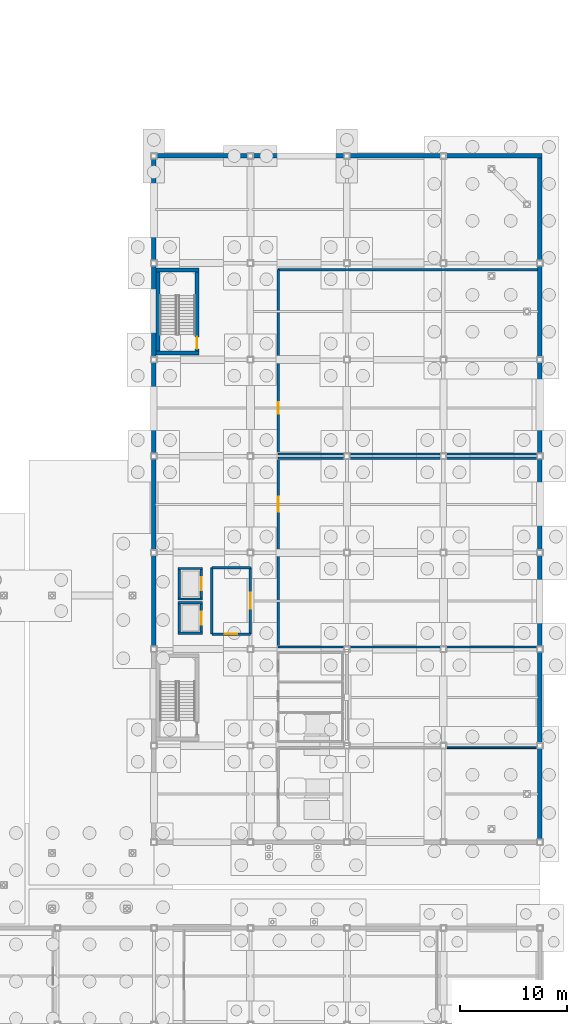
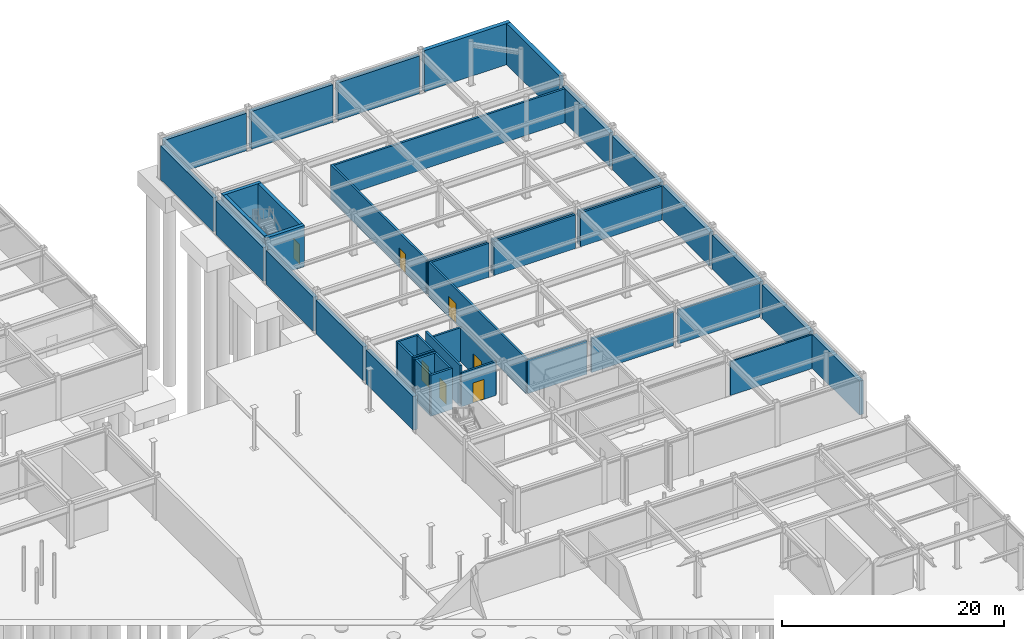
# One storey, part 57 of 74: 45 walls, 7 doors, 7 openings.
"""IFC4 building model written with IfcOpenShell, lengths in metres."""

from ifc_helpers import new_model, si_unit, direction, frame, frame_2d, origin, place, context, subcontext, project, spatial, rectangle, extrude, material, layer, layer_set, type_object, element, fill, save


model = new_model("IFC4")

# Units and contexts
model_context = context("Model", 3, precision=1e-05, world=origin(), true_north=direction((0.0, 1.0)))
body_context = subcontext(model_context, "Body", "Model", "MODEL_VIEW")
ifc_project = project(units=[si_unit("LENGTHUNIT", "METRE"), si_unit("AREAUNIT", "SQUARE_METRE"), si_unit("VOLUMEUNIT", "CUBIC_METRE"), si_unit("PLANEANGLEUNIT", "RADIAN"), si_unit("MASSUNIT", "GRAM", prefix="KILO")], contexts=[model_context])

# Site, building, storey
site_placement = place(None, origin())
site = spatial("IfcSite", under=ifc_project, at=site_placement, CompositionType="ELEMENT")
building_placement = place(site_placement, origin())
building = spatial("IfcBuilding", under=site, at=building_placement, Name="Suzunagisa Mobility Hub", CompositionType="ELEMENT")
storey_placement = place(building_placement, frame((0.0, 0.0, -4.800048828125)))
storey = spatial("IfcBuildingStorey", under=building, at=storey_placement, Name="B1", CompositionType="ELEMENT", Elevation=-4.800048828125)

# Walls
ifc_material_1 = material(Name="Concrete C35/45", Category="concrete")
ifc_layer_1 = layer(ifc_material_1, 0.419921875)
ifc_layer_set_1 = layer_set([ifc_layer_1], Name="Concrete C35/45")
wall_type_1 = type_object("IfcWallType", Name="Exterior Wall EW-02 420mm", PredefinedType="USERDEFINED", material=ifc_layer_set_1)
for number, where, z_axis, x_axis, name in (
    (1, (180.0, 44.25, 0.0), (0.0, 0.0, 1.0), (0.0, 1.0, 0.0), "B1 Perimeter Retaining Wall RW-329"),
    (2, (180.0, 53.25, 0.0), (0.0, 0.0, 1.0), (0.0, 1.0, 0.0), "B1 Perimeter Retaining Wall RW-330"),
    (3, (180.0, 62.25, 0.0), (0.0, 0.0, 1.0), (0.0, 1.0, 0.0), "B1 Perimeter Retaining Wall RW-331"),
    (4, (180.0, 71.25, 0.0), (0.0, 0.0, 1.0), (0.0, 1.0, 0.0), "B1 Perimeter Retaining Wall RW-332"),
    (5, (180.0, 80.25, 0.0), (0.0, 0.0, 1.0), (0.0, 1.0, 0.0), "B1 Perimeter Retaining Wall RW-333"),
    (6, (180.0, 89.25, 0.0), (0.0, 0.0, 1.0), (0.0, 1.0, 0.0), "B1 Perimeter Retaining Wall RW-334"),
):
    element("IfcWall", number, at=place(storey_placement, frame(where, z_axis=z_axis, x_axis=x_axis)), inside=storey, type_object=wall_type_1, Name=name, ObjectType="RETAINING WALL", PredefinedType="USERDEFINED", context=body_context, shape_type="SweptSolid", body=[
        extrude(rectangle(XDim=8.5, YDim=0.419921875, at=frame_2d((4.25, 0.0))), origin(), (0.0, 0.0, 1.0), 3.719970703125),
    ])
wall_1_placement = place(storey_placement, frame((180.0, 98.25, 0.0), z_axis=(0.0, 0.0, 1.0), x_axis=(0.0, 1.0, 0.0)))
element("IfcWall", 7, at=wall_1_placement, inside=storey, type_object=wall_type_1, Name="B1 Perimeter Retaining Wall RW-335", ObjectType="RETAINING WALL", PredefinedType="USERDEFINED", context=body_context, shape_type="SweptSolid", body=[
    extrude(rectangle(XDim=9.56005859375, YDim=0.419921875, at=frame_2d((4.780029296875, 0.0))), origin(), (0.0, 0.0, 1.0), 4.52001953125),
])
wall_2_placement = place(storey_placement, frame((180.18994140625, 108.0, 0.0), z_axis=(0.0, 0.0, 1.0), x_axis=(-1.0, 0.0, 0.0)))
element("IfcWall", 8, at=wall_2_placement, inside=storey, type_object=wall_type_1, Name="B1 Perimeter Retaining Wall RW-336", ObjectType="RETAINING WALL", PredefinedType="USERDEFINED", context=body_context, shape_type="SweptSolid", body=[
    extrude(rectangle(XDim=8.93994140625, YDim=0.419921875, at=frame_2d((4.469970703125, 0.0))), origin(), (0.0, 0.0, 1.0), 4.52001953125),
])
for number, where, z_axis, x_axis, name in (
    (9, (170.75, 108.0, 0.0), (0.0, 0.0, 1.0), (-1.0, 0.0, 0.0), "B1 Perimeter Retaining Wall RW-337"),
    (10, (161.75, 108.0, 0.0), (0.0, 0.0, 1.0), (-1.0, 0.0, 0.0), "B1 Perimeter Retaining Wall RW-338"),
    (11, (152.75, 108.0, 0.0), (0.0, 0.0, 1.0), (-1.0, 0.0, 0.0), "B1 Perimeter Retaining Wall RW-339"),
):
    element("IfcWall", number, at=place(storey_placement, frame(where, z_axis=z_axis, x_axis=x_axis)), inside=storey, type_object=wall_type_1, Name=name, ObjectType="RETAINING WALL", PredefinedType="USERDEFINED", context=body_context, shape_type="SweptSolid", body=[
        extrude(rectangle(XDim=8.5, YDim=0.419921875, at=frame_2d((4.25, 0.0))), origin(), (0.0, 0.0, 1.0), 4.130126953125),
    ])
wall_3_placement = place(storey_placement, frame((144.0, 107.75, 0.0), z_axis=(0.0, 0.0, 1.0), x_axis=(0.0, -1.0, 0.0)))
element("IfcWall", 12, at=wall_3_placement, inside=storey, type_object=wall_type_1, Name="B1 Perimeter Retaining Wall RW-340", ObjectType="RETAINING WALL", PredefinedType="USERDEFINED", context=body_context, shape_type="SweptSolid", body=[
    extrude(rectangle(XDim=9.5, YDim=0.419921875, at=frame_2d((4.75, 0.0))), origin(), (0.0, 0.0, 1.0), 3.719970703125),
])
for number, where, z_axis, x_axis, name in (
    (13, (144.0, 97.75, 0.0), (0.0, 0.0, 1.0), (0.0, -1.0, 0.0), "B1 Perimeter Retaining Wall RW-341"),
    (14, (144.0, 88.75, 0.0), (0.0, 0.0, 1.0), (0.0, -1.0, 0.0), "B1 Perimeter Retaining Wall RW-342"),
    (15, (144.0, 79.75, 0.0), (0.0, 0.0, 1.0), (0.0, -1.0, 0.0), "B1 Perimeter Retaining Wall RW-343"),
    (16, (144.0, 70.75, 0.0), (0.0, 0.0, 1.0), (0.0, -1.0, 0.0), "B1 Perimeter Retaining Wall RW-344"),
):
    element("IfcWall", number, at=place(storey_placement, frame(where, z_axis=z_axis, x_axis=x_axis)), inside=storey, type_object=wall_type_1, Name=name, ObjectType="RETAINING WALL", PredefinedType="USERDEFINED", context=body_context, shape_type="SweptSolid", body=[
        extrude(rectangle(XDim=8.5, YDim=0.419921875, at=frame_2d((4.25, 0.0))), origin(), (0.0, 0.0, 1.0), 3.719970703125),
    ])

# Wall, opening, door
ifc_material_2 = material(Name="Fire-Rated Gypsum Stud Partition", Category="gypsum")
ifc_layer_2 = layer(ifc_material_2, 0.2099609375)
ifc_layer_set_2 = layer_set([ifc_layer_2], Name="Fire-Rated Gypsum Stud Partition")
wall_type_2 = type_object("IfcWallType", Name="Interior Wall IW-03 210mm", PredefinedType="PARTITIONING", material=ifc_layer_set_2)
wall_4_placement = place(storey_placement, frame((148.425048828125, 63.580078125, 0.0), z_axis=(0.0, 0.0, 1.0), x_axis=(0.0, 1.0, 0.0)))
wall_4 = element("IfcWall", 17, at=wall_4_placement, inside=storey, type_object=wall_type_2, Name="B1 Lift LF-05 Shaft Front Wall", PredefinedType="PARTITIONING", context=body_context, shape_type="SweptSolid", body=[
    extrude(rectangle(XDim=2.639892578125, YDim=0.2099609375, at=frame_2d((1.31982421875, 0.0))), origin(), (0.0, 0.0, 1.0), 4.52001953125),
])
opening_1_placement = place(wall_4_placement, frame((0.719970703125, 0.0, 0.0)))
opening_1 = element("IfcOpeningElement", 18, at=opening_1_placement, cuts=wall_4, Name="Opening LD-03", PredefinedType="OPENING", context=body_context, shape_type="SweptSolid", body=[
    extrude(rectangle(XDim=1.199951171875, YDim=2.199951171875, at=frame_2d((0.60009765625, 1.10009765625))), frame((0.0, 0.115966796875, 0.0), z_axis=(0.0, -1.0, 0.0), x_axis=(1.0, 0.0, 0.0)), (0.0, 0.0, 1.0), 0.23193359375),
])
ifc_material_3 = material(Name="Brushed Stainless Steel SUS304", Category="metal")
door_type_1 = type_object("IfcDoorType", Name="Lift Landing Sliding Door LD-03 1200x2200", OperationType="SLIDING_TO_LEFT", PredefinedType="DOOR", material=ifc_material_3)
door_1_placement = place(opening_1_placement, origin())
door_1 = element("IfcDoor", 19, at=door_1_placement, inside=storey, type_object=door_type_1, Name="B1 Lift LF-05 Sliding Landing Door", OperationType="SLIDING_TO_RIGHT", OverallHeight=2.199951171875, OverallWidth=1.199951171875, PredefinedType="DOOR", context=body_context, shape_type="SweptSolid", body=[
    extrude(rectangle(XDim=1.199951171875, YDim=2.199951171875, at=frame_2d((0.60009765625, 1.10009765625))), frame((0.0, 0.02490234375, 0.0), z_axis=(0.0, -1.0, 0.0), x_axis=(1.0, 0.0, 0.0)), (0.0, 0.0, 1.0), 0.050048828125),
])
fill(opening_1, door_1)

# Walls
wall_5_placement = place(storey_placement, frame((146.375, 63.580078125, 0.0), z_axis=(0.0, 0.0, 1.0), x_axis=(0.0, 1.0, 0.0)))
element("IfcWall", 20, at=wall_5_placement, inside=storey, type_object=wall_type_2, Name="B1 Lift LF-05 Shaft Back Wall", PredefinedType="PARTITIONING", context=body_context, shape_type="SweptSolid", body=[
    extrude(rectangle(XDim=2.639892578125, YDim=0.2099609375, at=frame_2d((1.31982421875, 0.0))), origin(), (0.0, 0.0, 1.0), 4.52001953125),
])
for number, where, z_axis, x_axis, name in (
    (21, (146.27001953125, 63.47509765625, 0.0), (0.0, 0.0, 1.0), (1.0, 0.0, 0.0), "B1 Lift LF-05 Shaft South Wall"),
    (22, (146.27001953125, 66.324951171875, 0.0), (0.0, 0.0, 1.0), (1.0, 0.0, 0.0), "B1 Lift LF-05 Shaft North Wall"),
):
    element("IfcWall", number, at=place(storey_placement, frame(where, z_axis=z_axis, x_axis=x_axis)), inside=storey, type_object=wall_type_2, Name=name, PredefinedType="PARTITIONING", context=body_context, shape_type="SweptSolid", body=[
        extrude(rectangle(XDim=2.260009765625, YDim=0.2099609375, at=frame_2d((1.1298828125, 0.0))), origin(), (0.0, 0.0, 1.0), 4.52001953125),
    ])

# Wall, opening, door
wall_6_placement = place(storey_placement, frame((148.425048828125, 66.780029296875, 0.0), z_axis=(0.0, 0.0, 1.0), x_axis=(0.0, 1.0, 0.0)))
wall_6 = element("IfcWall", 23, at=wall_6_placement, inside=storey, type_object=wall_type_2, Name="B1 Lift LF-06 Shaft Front Wall", PredefinedType="PARTITIONING", context=body_context, shape_type="SweptSolid", body=[
    extrude(rectangle(XDim=2.639892578125, YDim=0.2099609375, at=frame_2d((1.31982421875, 0.0))), origin(), (0.0, 0.0, 1.0), 4.52001953125),
])
opening_2_placement = place(wall_6_placement, frame((0.719970703125, 0.0, 0.0)))
opening_2 = element("IfcOpeningElement", 24, at=opening_2_placement, cuts=wall_6, Name="Opening LD-03", PredefinedType="OPENING", context=body_context, shape_type="SweptSolid", body=[
    extrude(rectangle(XDim=1.199951171875, YDim=2.199951171875, at=frame_2d((0.60009765625, 1.10009765625))), frame((0.0, 0.115966796875, 0.0), z_axis=(0.0, -1.0, 0.0), x_axis=(1.0, 0.0, 0.0)), (0.0, 0.0, 1.0), 0.23193359375),
])
door_2_placement = place(opening_2_placement, origin())
door_2 = element("IfcDoor", 25, at=door_2_placement, inside=storey, type_object=door_type_1, Name="B1 Lift LF-06 Sliding Landing Door", OperationType="SLIDING_TO_LEFT", OverallHeight=2.199951171875, OverallWidth=1.199951171875, PredefinedType="DOOR", context=body_context, shape_type="SweptSolid", body=[
    extrude(rectangle(XDim=1.199951171875, YDim=2.199951171875, at=frame_2d((0.60009765625, 1.10009765625))), frame((0.0, 0.02490234375, 0.0), z_axis=(0.0, -1.0, 0.0), x_axis=(1.0, 0.0, 0.0)), (0.0, 0.0, 1.0), 0.050048828125),
])
fill(opening_2, door_2)

# Walls
wall_7_placement = place(storey_placement, frame((146.375, 66.780029296875, 0.0), z_axis=(0.0, 0.0, 1.0), x_axis=(0.0, 1.0, 0.0)))
element("IfcWall", 26, at=wall_7_placement, inside=storey, type_object=wall_type_2, Name="B1 Lift LF-06 Shaft Back Wall", PredefinedType="PARTITIONING", context=body_context, shape_type="SweptSolid", body=[
    extrude(rectangle(XDim=2.639892578125, YDim=0.2099609375, at=frame_2d((1.31982421875, 0.0))), origin(), (0.0, 0.0, 1.0), 4.52001953125),
])
for number, where, z_axis, x_axis, name in (
    (27, (146.27001953125, 66.675048828125, 0.0), (0.0, 0.0, 1.0), (1.0, 0.0, 0.0), "B1 Lift LF-06 Shaft South Wall"),
    (28, (146.27001953125, 69.52490234375, 0.0), (0.0, 0.0, 1.0), (1.0, 0.0, 0.0), "B1 Lift LF-06 Shaft North Wall"),
):
    element("IfcWall", number, at=place(storey_placement, frame(where, z_axis=z_axis, x_axis=x_axis)), inside=storey, type_object=wall_type_2, Name=name, PredefinedType="PARTITIONING", context=body_context, shape_type="SweptSolid", body=[
        extrude(rectangle(XDim=2.260009765625, YDim=0.2099609375, at=frame_2d((1.1298828125, 0.0))), origin(), (0.0, 0.0, 1.0), 4.52001953125),
    ])

# Wall, opening, door
wall_8_placement = place(storey_placement, frame((149.39990234375, 63.39990234375, 0.0), z_axis=(0.0, 0.0, 1.0), x_axis=(1.0, 0.0, 0.0)))
wall_8 = element("IfcWall", 29, at=wall_8_placement, inside=storey, type_object=wall_type_2, Name="B1 Firefighting Lift Lobby B1 Partition PW-533", PredefinedType="PARTITIONING", context=body_context, shape_type="SweptSolid", body=[
    extrude(rectangle(XDim=3.60009765625, YDim=0.2099609375, at=frame_2d((1.800048828125, 0.0))), origin(), (0.0, 0.0, 1.0), 3.719970703125),
])
opening_3_placement = place(wall_8_placement, frame((1.22509765625, 0.0, 0.0)))
opening_3 = element("IfcOpeningElement", 30, at=opening_3_placement, cuts=wall_8, Name="Opening DR-20", PredefinedType="OPENING", context=body_context, shape_type="SweptSolid", body=[
    extrude(rectangle(XDim=1.14990234375, YDim=2.199951171875, at=frame_2d((0.574951171875, 1.10009765625))), frame((0.0, 0.115966796875, 0.0), z_axis=(0.0, -1.0, 0.0), x_axis=(1.0, 0.0, 0.0)), (0.0, 0.0, 1.0), 0.23193359375),
])
ifc_material_4 = material(Name="Fire-Rated Hollow Steel Stair Door", Category="steel")
door_type_2 = type_object("IfcDoorType", Name="Interior Door DR-20 1150x2200", OperationType="SINGLE_SWING_LEFT", PredefinedType="DOOR", material=ifc_material_4)
door_3_placement = place(opening_3_placement, origin())
door_3 = element("IfcDoor", 31, at=door_3_placement, inside=storey, type_object=door_type_2, Name="B1 Firefighting Lobby to Escape Stair Door SD-121", OperationType="SINGLE_SWING_RIGHT", OverallHeight=2.199951171875, OverallWidth=1.14990234375, PredefinedType="DOOR", context=body_context, shape_type="SweptSolid", body=[
    extrude(rectangle(XDim=1.14990234375, YDim=2.199951171875, at=frame_2d((0.574951171875, 1.10009765625))), frame((0.0, 0.02490234375, 0.0), z_axis=(0.0, -1.0, 0.0), x_axis=(1.0, 0.0, 0.0)), (0.0, 0.0, 1.0), 0.050048828125),
])
fill(opening_3, door_3)

# Walls
wall_9_placement = place(storey_placement, frame((149.39990234375, 69.60009765625, 0.0), z_axis=(0.0, 0.0, 1.0), x_axis=(1.0, 0.0, 0.0)))
element("IfcWall", 32, at=wall_9_placement, inside=storey, type_object=wall_type_2, Name="B1 Firefighting Lift Lobby B1 Partition PW-534", PredefinedType="PARTITIONING", context=body_context, shape_type="SweptSolid", body=[
    extrude(rectangle(XDim=3.60009765625, YDim=0.2099609375, at=frame_2d((1.800048828125, 0.0))), origin(), (0.0, 0.0, 1.0), 3.719970703125),
])
wall_10_placement = place(storey_placement, frame((149.39990234375, 63.39990234375, 0.0), z_axis=(0.0, 0.0, 1.0), x_axis=(0.0, 1.0, 0.0)))
element("IfcWall", 33, at=wall_10_placement, inside=storey, type_object=wall_type_2, Name="B1 Firefighting Lift Lobby B1 Partition PW-535", PredefinedType="PARTITIONING", context=body_context, shape_type="SweptSolid", body=[
    extrude(rectangle(XDim=6.2001953125, YDim=0.2099609375, at=frame_2d((3.10009765625, 0.0))), origin(), (0.0, 0.0, 1.0), 4.52001953125),
])

# Wall, opening, door
wall_11_placement = place(storey_placement, frame((153.0, 63.39990234375, 0.0), z_axis=(0.0, 0.0, 1.0), x_axis=(0.0, 1.0, 0.0)))
wall_11 = element("IfcWall", 34, at=wall_11_placement, inside=storey, type_object=wall_type_2, Name="B1 Firefighting Lift Lobby B1 Partition PW-536", PredefinedType="PARTITIONING", context=body_context, shape_type="SweptSolid", body=[
    extrude(rectangle(XDim=6.2001953125, YDim=0.2099609375, at=frame_2d((3.10009765625, 0.0))), origin(), (0.0, 0.0, 1.0), 3.719970703125),
])
opening_4_placement = place(wall_11_placement, frame((2.35009765625, 0.0, 0.0)))
opening_4 = element("IfcOpeningElement", 35, at=opening_4_placement, cuts=wall_11, Name="Opening DR-15", PredefinedType="OPENING", context=body_context, shape_type="SweptSolid", body=[
    extrude(rectangle(XDim=1.5, YDim=2.25, at=frame_2d((0.75, 1.125))), frame((0.0, 0.115966796875, 0.0), z_axis=(0.0, -1.0, 0.0), x_axis=(1.0, 0.0, 0.0)), (0.0, 0.0, 1.0), 0.23193359375),
])
ifc_material_5 = material(Name="Smoke-Control Double Fire Door")
door_type_3 = type_object("IfcDoorType", Name="Interior Door DR-15 1500x2250", OperationType="SINGLE_SWING_LEFT", PredefinedType="DOOR", material=ifc_material_5)
door_4_placement = place(opening_4_placement, origin())
door_4 = element("IfcDoor", 36, at=door_4_placement, inside=storey, type_object=door_type_3, Name="B1 Firefighting Lift Lobby B1 Door DR-122", OperationType="SINGLE_SWING_LEFT", OverallHeight=2.25, OverallWidth=1.5, PredefinedType="DOOR", context=body_context, shape_type="SweptSolid", body=[
    extrude(rectangle(XDim=1.5, YDim=2.25, at=frame_2d((0.75, 1.125))), frame((0.0, 0.02490234375, 0.0), z_axis=(0.0, -1.0, 0.0), x_axis=(1.0, 0.0, 0.0)), (0.0, 0.0, 1.0), 0.050048828125),
])
fill(opening_4, door_4)

# Walls
wall_12_placement = place(storey_placement, frame((155.60009765625, 62.199951171875, 0.0), z_axis=(0.0, 0.0, 1.0), x_axis=(1.0, 0.0, 0.0)))
element("IfcWall", 37, at=wall_12_placement, inside=storey, type_object=wall_type_2, Name="B1 Central HVAC Chiller and Heat-Pump Plant Room Partition PW-690", PredefinedType="PARTITIONING", context=body_context, shape_type="SweptSolid", body=[
    extrude(rectangle(XDim=6.14990234375, YDim=0.2099609375, at=frame_2d((3.074951171875, 0.0))), origin(), (0.0, 0.0, 1.0), 3.719970703125),
])
for number, where, z_axis, x_axis, name in (
    (38, (162.25, 62.199951171875, 0.0), (0.0, 0.0, 1.0), (1.0, 0.0, 0.0), "B1 Central HVAC Chiller and Heat-Pump Plant Room Partition PW-691"),
    (39, (171.25, 62.199951171875, 0.0), (0.0, 0.0, 1.0), (1.0, 0.0, 0.0), "B1 Central HVAC Chiller and Heat-Pump Plant Room Partition PW-692"),
):
    element("IfcWall", number, at=place(storey_placement, frame(where, z_axis=z_axis, x_axis=x_axis)), inside=storey, type_object=wall_type_2, Name=name, PredefinedType="PARTITIONING", context=body_context, shape_type="SweptSolid", body=[
        extrude(rectangle(XDim=8.5, YDim=0.2099609375, at=frame_2d((4.25, 0.0))), origin(), (0.0, 0.0, 1.0), 3.719970703125),
    ])
wall_13_placement = place(storey_placement, frame((155.60009765625, 79.800048828125, 0.0), z_axis=(0.0, 0.0, 1.0), x_axis=(1.0, 0.0, 0.0)))
element("IfcWall", 40, at=wall_13_placement, inside=storey, type_object=wall_type_2, Name="B1 Central HVAC Chiller and Heat-Pump Plant Room Partition PW-693", PredefinedType="PARTITIONING", context=body_context, shape_type="SweptSolid", body=[
    extrude(rectangle(XDim=6.14990234375, YDim=0.2099609375, at=frame_2d((3.074951171875, 0.0))), origin(), (0.0, 0.0, 1.0), 3.719970703125),
])
for number, where, z_axis, x_axis, name in (
    (41, (162.25, 79.800048828125, 0.0), (0.0, 0.0, 1.0), (1.0, 0.0, 0.0), "B1 Central HVAC Chiller and Heat-Pump Plant Room Partition PW-694"),
    (42, (171.25, 79.800048828125, 0.0), (0.0, 0.0, 1.0), (1.0, 0.0, 0.0), "B1 Central HVAC Chiller and Heat-Pump Plant Room Partition PW-695"),
):
    element("IfcWall", number, at=place(storey_placement, frame(where, z_axis=z_axis, x_axis=x_axis)), inside=storey, type_object=wall_type_2, Name=name, PredefinedType="PARTITIONING", context=body_context, shape_type="SweptSolid", body=[
        extrude(rectangle(XDim=8.5, YDim=0.2099609375, at=frame_2d((4.25, 0.0))), origin(), (0.0, 0.0, 1.0), 3.719970703125),
    ])

# Wall, opening, door
wall_14_placement = place(storey_placement, frame((155.60009765625, 62.199951171875, 0.0), z_axis=(0.0, 0.0, 1.0), x_axis=(0.0, 1.0, 0.0)))
wall_14 = element("IfcWall", 43, at=wall_14_placement, inside=storey, type_object=wall_type_2, Name="B1 Central HVAC Chiller and Heat-Pump Plant Room Partition PW-696", PredefinedType="PARTITIONING", context=body_context, shape_type="SweptSolid", body=[
    extrude(rectangle(XDim=17.60009765625, YDim=0.2099609375, at=frame_2d((8.800048828125, 0.0))), origin(), (0.0, 0.0, 1.0), 3.820068359375),
])
opening_5_placement = place(wall_14_placement, frame((12.60009765625, 0.0, 0.0)))
opening_5 = element("IfcOpeningElement", 44, at=opening_5_placement, cuts=wall_14, Name="Opening DR-21", PredefinedType="OPENING", context=body_context, shape_type="SweptSolid", body=[
    extrude(rectangle(XDim=1.39990234375, YDim=2.199951171875, at=frame_2d((0.699951171875, 1.10009765625))), frame((0.0, 0.115966796875, 0.0), z_axis=(0.0, -1.0, 0.0), x_axis=(1.0, 0.0, 0.0)), (0.0, 0.0, 1.0), 0.23193359375),
])
ifc_material_6 = material(Name="Plant Leaf-and-Half Steel Fire Door", Category="steel")
door_type_4 = type_object("IfcDoorType", Name="Interior Door DR-21 1400x2200", OperationType="SINGLE_SWING_LEFT", PredefinedType="DOOR", material=ifc_material_6)
door_5_placement = place(opening_5_placement, origin())
door_5 = element("IfcDoor", 45, at=door_5_placement, inside=storey, type_object=door_type_4, Name="B1 Central HVAC Chiller and Heat-Pump Plant Room Door DR-175", OperationType="SINGLE_SWING_RIGHT", OverallHeight=2.199951171875, OverallWidth=1.39990234375, PredefinedType="DOOR", context=body_context, shape_type="SweptSolid", body=[
    extrude(rectangle(XDim=1.39990234375, YDim=2.199951171875, at=frame_2d((0.699951171875, 1.10009765625))), frame((0.0, 0.02490234375, 0.0), z_axis=(0.0, -1.0, 0.0), x_axis=(1.0, 0.0, 0.0)), (0.0, 0.0, 1.0), 0.050048828125),
])
fill(opening_5, door_5)

# Walls
wall_15_placement = place(storey_placement, frame((155.60009765625, 80.199951171875, 0.0), z_axis=(0.0, 0.0, 1.0), x_axis=(1.0, 0.0, 0.0)))
element("IfcWall", 46, at=wall_15_placement, inside=storey, type_object=wall_type_2, Name="B1 Smoke Extraction Fan and Emergency Generator Plant Partition PW-697", PredefinedType="PARTITIONING", context=body_context, shape_type="SweptSolid", body=[
    extrude(rectangle(XDim=6.14990234375, YDim=0.2099609375, at=frame_2d((3.074951171875, 0.0))), origin(), (0.0, 0.0, 1.0), 3.719970703125),
])
for number, where, z_axis, x_axis, name in (
    (47, (162.25, 80.199951171875, 0.0), (0.0, 0.0, 1.0), (1.0, 0.0, 0.0), "B1 Smoke Extraction Fan and Emergency Generator Plant Partition PW-698"),
    (48, (171.25, 80.199951171875, 0.0), (0.0, 0.0, 1.0), (1.0, 0.0, 0.0), "B1 Smoke Extraction Fan and Emergency Generator Plant Partition PW-699"),
):
    element("IfcWall", number, at=place(storey_placement, frame(where, z_axis=z_axis, x_axis=x_axis)), inside=storey, type_object=wall_type_2, Name=name, PredefinedType="PARTITIONING", context=body_context, shape_type="SweptSolid", body=[
        extrude(rectangle(XDim=8.5, YDim=0.2099609375, at=frame_2d((4.25, 0.0))), origin(), (0.0, 0.0, 1.0), 3.719970703125),
    ])
wall_16_placement = place(storey_placement, frame((155.60009765625, 97.39990234375, 0.0), z_axis=(0.0, 0.0, 1.0), x_axis=(1.0, 0.0, 0.0)))
element("IfcWall", 49, at=wall_16_placement, inside=storey, type_object=wall_type_2, Name="B1 Smoke Extraction Fan and Emergency Generator Plant Partition PW-700", PredefinedType="PARTITIONING", context=body_context, shape_type="SweptSolid", body=[
    extrude(rectangle(XDim=24.23486328125, YDim=0.2099609375, at=frame_2d((12.117431640625, 0.0))), origin(), (0.0, 0.0, 1.0), 3.719970703125),
])

# Wall, opening, door
wall_17_placement = place(storey_placement, frame((155.60009765625, 80.199951171875, 0.0), z_axis=(0.0, 0.0, 1.0), x_axis=(0.0, 1.0, 0.0)))
wall_17 = element("IfcWall", 50, at=wall_17_placement, inside=storey, type_object=wall_type_2, Name="B1 Smoke Extraction Fan and Emergency Generator Plant Partition PW-701", PredefinedType="PARTITIONING", context=body_context, shape_type="SweptSolid", body=[
    extrude(rectangle(XDim=17.199951171875, YDim=0.2099609375, at=frame_2d((8.60009765625, 0.0))), origin(), (0.0, 0.0, 1.0), 3.820068359375),
])
opening_6_placement = place(wall_17_placement, frame((3.75, 0.0, 0.0)))
opening_6 = element("IfcOpeningElement", 51, at=opening_6_placement, cuts=wall_17, Name="Opening DR-11", PredefinedType="OPENING", context=body_context, shape_type="SweptSolid", body=[
    extrude(rectangle(XDim=1.10009765625, YDim=2.14990234375, at=frame_2d((0.550048828125, 1.074951171875))), frame((0.0, 0.115966796875, 0.0), z_axis=(0.0, -1.0, 0.0), x_axis=(1.0, 0.0, 0.0)), (0.0, 0.0, 1.0), 0.23193359375),
])
ifc_material_7 = material(Name="Riser and Switchroom Fire Door")
door_type_5 = type_object("IfcDoorType", Name="Interior Door DR-11 1100x2150", OperationType="SINGLE_SWING_LEFT", PredefinedType="DOOR", material=ifc_material_7)
door_6_placement = place(opening_6_placement, origin())
door_6 = element("IfcDoor", 52, at=door_6_placement, inside=storey, type_object=door_type_5, Name="B1 Smoke Extraction Fan and Emergency Generator Plant Door DR-176", OperationType="SINGLE_SWING_LEFT", OverallHeight=2.14990234375, OverallWidth=1.10009765625, PredefinedType="DOOR", context=body_context, shape_type="SweptSolid", body=[
    extrude(rectangle(XDim=1.10009765625, YDim=2.14990234375, at=frame_2d((0.550048828125, 1.074951171875))), frame((0.0, 0.02490234375, 0.0), z_axis=(0.0, -1.0, 0.0), x_axis=(1.0, 0.0, 0.0)), (0.0, 0.0, 1.0), 0.050048828125),
])
fill(opening_6, door_6)

# Walls
ifc_layer_3 = layer(ifc_material_1, 0.35009765625)
ifc_layer_set_3 = layer_set([ifc_layer_3], Name="Concrete C35/45")
wall_type_3 = type_object("IfcWallType", Name="Interior Wall IW-04 350mm", PredefinedType="SHEAR", material=ifc_layer_set_3)
for number, where, z_axis, x_axis, name in (
    (53, (144.2099609375, 89.625, 0.0), (0.0, 0.0, 1.0), (1.0, 0.0, 0.0), "B1 Core C5B Shear Wall SW-461"),
    (54, (144.2099609375, 97.375, 0.0), (0.0, 0.0, 1.0), (1.0, 0.0, 0.0), "B1 Core C5B Shear Wall SW-462"),
):
    element("IfcWall", number, at=place(storey_placement, frame(where, z_axis=z_axis, x_axis=x_axis)), inside=storey, type_object=wall_type_3, Name=name, PredefinedType="SHEAR", context=body_context, shape_type="SweptSolid", body=[
        extrude(rectangle(XDim=3.97998046875, YDim=0.35009765625, at=frame_2d((1.989990234375, 0.0))), origin(), (0.0, 0.0, 1.0), 4.52001953125),
    ])
wall_18_placement = place(storey_placement, frame((144.385009765625, 89.800048828125, 0.0), z_axis=(0.0, 0.0, 1.0), x_axis=(0.0, 1.0, 0.0)))
element("IfcWall", 55, at=wall_18_placement, inside=storey, type_object=wall_type_3, Name="B1 Core C5B Shear Wall SW-463", PredefinedType="SHEAR", context=body_context, shape_type="SweptSolid", body=[
    extrude(rectangle(XDim=7.39990234375, YDim=0.35009765625, at=frame_2d((3.699951171875, 0.0))), origin(), (0.0, 0.0, 1.0), 4.52001953125),
])

# Wall, opening, door
wall_19_placement = place(storey_placement, frame((148.014892578125, 89.800048828125, 0.0), z_axis=(0.0, 0.0, 1.0), x_axis=(0.0, 1.0, 0.0)))
wall_19 = element("IfcWall", 56, at=wall_19_placement, inside=storey, type_object=wall_type_3, Name="B1 Core C5B Shear Wall SW-464", PredefinedType="SHEAR", context=body_context, shape_type="SweptSolid", body=[
    extrude(rectangle(XDim=7.39990234375, YDim=0.35009765625, at=frame_2d((3.699951171875, 0.0))), origin(), (0.0, 0.0, 1.0), 4.52001953125),
])
opening_7_placement = place(wall_19_placement, frame((0.219970703125, 0.0, 0.0)))
opening_7 = element("IfcOpeningElement", 57, at=opening_7_placement, cuts=wall_19, Name="Opening DR-05", PredefinedType="OPENING", context=body_context, shape_type="SweptSolid", body=[
    extrude(rectangle(XDim=1.10009765625, YDim=2.14990234375, at=frame_2d((0.550048828125, 1.074951171875))), frame((0.0, 0.18603515625, 0.0), z_axis=(0.0, -1.0, 0.0), x_axis=(1.0, 0.0, 0.0)), (0.0, 0.0, 1.0), 0.3720703125),
])
door_type_6 = type_object("IfcDoorType", Name="Interior Door DR-05 1100x2150", OperationType="SINGLE_SWING_LEFT", PredefinedType="DOOR", material=ifc_material_4)
door_7_placement = place(opening_7_placement, origin())
door_7 = element("IfcDoor", 58, at=door_7_placement, inside=storey, type_object=door_type_6, Name="B1 Core C5B Escape Stair Fire Door SD-113", OperationType="SINGLE_SWING_RIGHT", OverallHeight=2.14990234375, OverallWidth=1.10009765625, PredefinedType="DOOR", context=body_context, shape_type="SweptSolid", body=[
    extrude(rectangle(XDim=1.10009765625, YDim=2.14990234375, at=frame_2d((0.550048828125, 1.074951171875))), frame((0.0, 0.02490234375, 0.0), z_axis=(0.0, -1.0, 0.0), x_axis=(1.0, 0.0, 0.0)), (0.0, 0.0, 1.0), 0.050048828125),
])
fill(opening_7, door_7)

# Wall
ifc_layer_4 = layer(ifc_material_2, 0.169921875)
ifc_layer_set_4 = layer_set([ifc_layer_4], Name="Fire-Rated Gypsum Stud Partition")
wall_type_4 = type_object("IfcWallType", Name="Interior Wall IW-05 170mm", PredefinedType="PARTITIONING", material=ifc_layer_set_4)
wall_20_placement = place(storey_placement, frame((171.25, 52.800048828125, 0.0), z_axis=(0.0, 0.0, 1.0), x_axis=(1.0, 0.0, 0.0)))
element("IfcWall", 59, at=wall_20_placement, inside=storey, type_object=wall_type_4, Name="B1 Facility Engineering Equipment Store B1 Partition PW-704", PredefinedType="PARTITIONING", context=body_context, shape_type="SweptSolid", body=[
    extrude(rectangle(XDim=8.5, YDim=0.169921875, at=frame_2d((4.25, 0.0))), origin(), (0.0, 0.0, 1.0), 3.719970703125),
])

save(model, "model.ifc")
